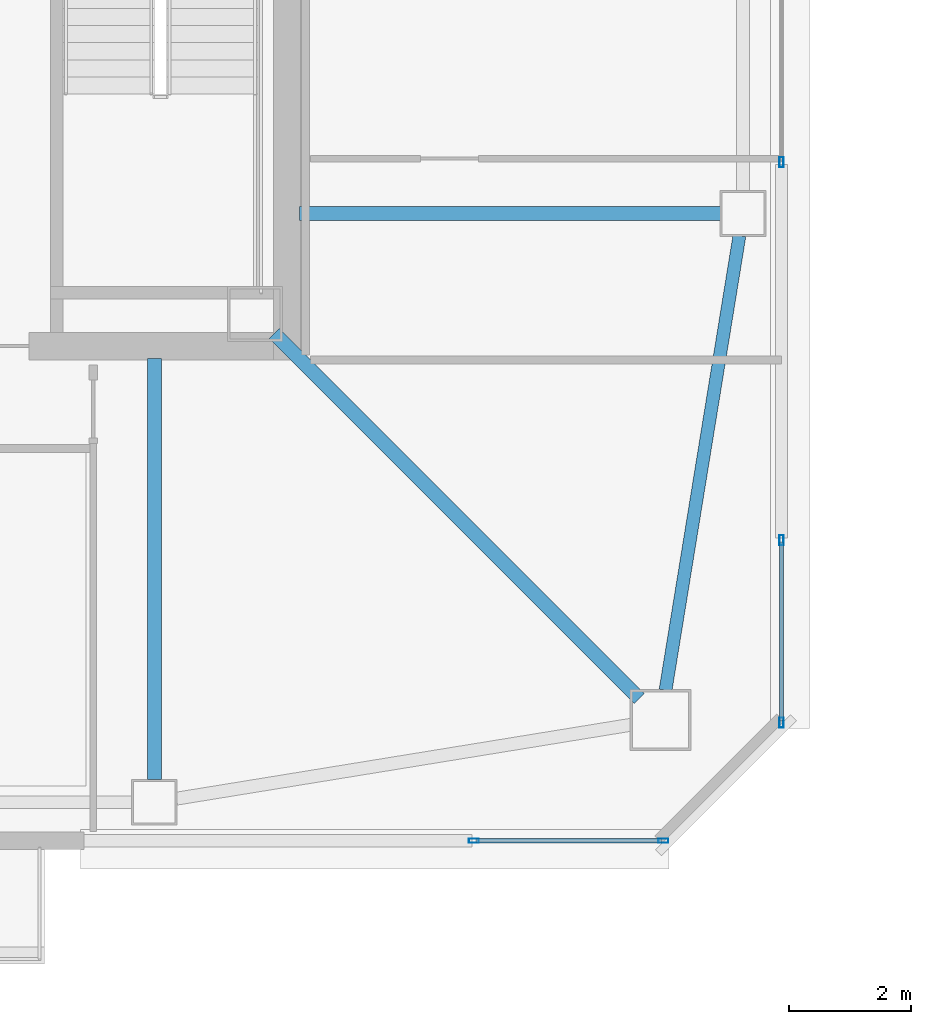
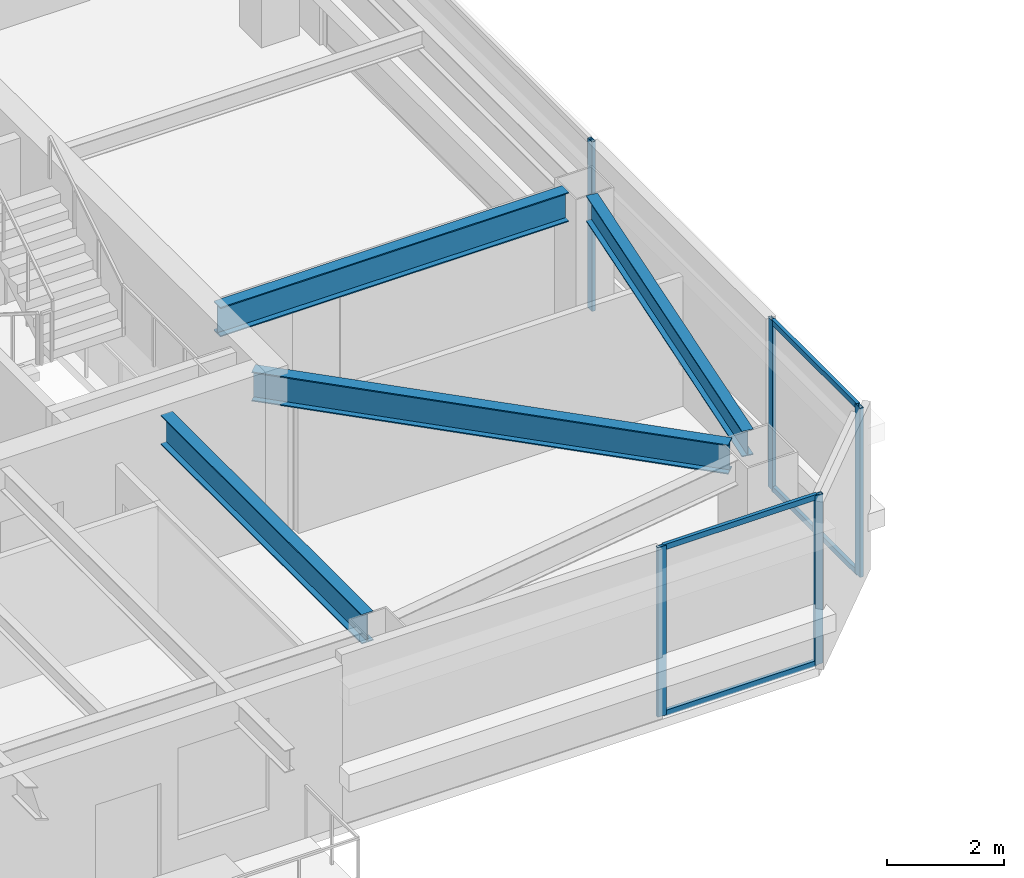
# One storey, part 7 of 36: 9 members, 4 beams, 3 elements without a shape of their own.
"""IFC4 building model written with IfcOpenShell, lengths in metres."""

from ifc_helpers import new_model, si_unit, direction, frame, origin, origin_2d, place, context, subcontext, project, spatial, hollow_rectangle, i_section, extrude, material, material_profile, profile_set, type_object, element, aggregate, save


model = new_model("IFC4")

# Units and contexts
model_context = context("Model", 3, precision=1e-05, world=origin(), true_north=direction((0.0, 1.0)))
body_context = subcontext(model_context, "Body", "Model", "MODEL_VIEW")
ifc_project = project(units=[si_unit("LENGTHUNIT", "METRE"), si_unit("AREAUNIT", "SQUARE_METRE"), si_unit("VOLUMEUNIT", "CUBIC_METRE"), si_unit("PLANEANGLEUNIT", "RADIAN"), si_unit("MASSUNIT", "GRAM", prefix="KILO")], contexts=[model_context])

# Site, building, storey
site_placement = place(None, origin())
site = spatial("IfcSite", under=ifc_project, at=site_placement, CompositionType="ELEMENT")
building_placement = place(site_placement, origin())
building = spatial("IfcBuilding", under=site, at=building_placement, Name="Tashvorn Skyway Center", CompositionType="ELEMENT")
storey_placement = place(building_placement, frame((0.0, 0.0, 236.14990234375)))
storey = spatial("IfcBuildingStorey", under=building, at=storey_placement, Name="L64", CompositionType="ELEMENT", Elevation=236.14990234375)

# Beams
ifc_material_1 = material(Name="Steel ASTM A992 Grade 50", Category="steel")
ifc_material_profile_1 = material_profile(ifc_material_1, i_section(OverallWidth=0.22998046875, OverallDepth=0.616943359375, WebThickness=0.01318359375, FlangeThickness=0.022216796875, at=origin_2d()), Name="W24X94")
ifc_profile_set_1 = profile_set([ifc_material_profile_1], Name="Steel ASTM A992 Grade 50")
beam_type_1 = type_object("IfcBeamType", Name="BM-BEAM-W24X94", PredefinedType="BEAM", material=ifc_profile_set_1)
beam_1_placement = place(storey_placement, frame((55.35009765625, 18.64990234375, 3.0615234375), z_axis=(-0.707106781187, 0.707106781187, 0.0), x_axis=(-0.707106781187, -0.707106781187, 0.0)))
element("IfcBeam", 1, at=beam_1_placement, inside=storey, type_object=beam_type_1, Name="Tower 1 L64 Primary Floor Girder MC-SE", PredefinedType="BEAM", context=body_context, shape_type="SweptSolid", body=[
    extrude(i_section(OverallWidth=0.22998046875, OverallDepth=0.616943359375, WebThickness=0.01318359375, FlangeThickness=0.022216796875, at=origin_2d()), origin(), (0.0, 0.0, 1.0), 8.464599609375),
])
for number, where, z_axis, x_axis, name in (
    (2, (47.39990234375, 17.320068359375, 3.0615234375), (0.0, 1.0, 0.0), (-1.0, 0.0, 0.0), "Tower 1 L64 Primary Floor Girder FC-S2"),
    (3, (56.679931640625, 26.60009765625, 3.0615234375), (-1.0, 0.0, 0.0), (0.0, -1.0, 0.0), "Tower 1 L64 Primary Floor Girder FC-E1"),
):
    element("IfcBeam", number, at=place(storey_placement, frame(where, z_axis=z_axis, x_axis=x_axis)), inside=storey, type_object=beam_type_1, Name=name, PredefinedType="BEAM", context=body_context, shape_type="SweptSolid", body=[
        extrude(i_section(OverallWidth=0.22998046875, OverallDepth=0.616943359375, WebThickness=0.01318359375, FlangeThickness=0.022216796875, at=origin_2d()), origin(), (0.0, 0.0, 1.0), 6.89990234375),
    ])
ifc_material_profile_2 = material_profile(ifc_material_1, i_section(OverallWidth=0.2109375, OverallDepth=0.5390625, WebThickness=0.01171875, FlangeThickness=0.018798828125, at=origin_2d()), Name="W21X73")
ifc_profile_set_2 = profile_set([ifc_material_profile_2], Name="Steel ASTM A992 Grade 50")
beam_type_2 = type_object("IfcBeamType", Name="BM-SPANDREL-W21X73", PredefinedType="SPANDREL", material=ifc_profile_set_2)
beam_2_placement = place(storey_placement, frame((55.779541015625, 18.78857421875, 3.1005859375), z_axis=(0.160514302677, 0.987033514444, 0.0), x_axis=(-0.987033514444, 0.160514302677, 0.0)))
element("IfcBeam", 4, at=beam_2_placement, inside=storey, type_object=beam_type_2, Name="Tower 1 L64 Spandrel Beam 04", PredefinedType="SPANDREL", context=body_context, shape_type="SweptSolid", body=[
    extrude(i_section(OverallWidth=0.2109375, OverallDepth=0.5390625, WebThickness=0.01171875, FlangeThickness=0.018798828125, at=origin_2d()), origin(), (0.0, 0.0, 1.0), 7.544189453125),
])

# Curtain wall, members
ifc_material_2 = material(Name="Thermally broken bronze-anodized aluminium 6063-T6", Category="aluminium")
curtain_wall_type = type_object("IfcCurtainWallType", Name="CW-CW-Z5", PredefinedType="NOTDEFINED", material=ifc_material_2)
curtain_wall_1_placement = place(storey_placement, origin())
curtain_wall_1 = element("IfcCurtainWall", 5, at=curtain_wall_1_placement, inside=storey, type_object=curtain_wall_type, Name="Tower 1 L64 South Curtain Wall L Glazing Group 1", PredefinedType="NOTDEFINED")
ifc_material_profile_3 = material_profile(ifc_material_2, hollow_rectangle(XDim=0.070068359375, YDim=0.1650390625, WallThickness=0.00390625, at=origin_2d()), Name="ALU-MULL-70x165")
ifc_profile_set_3 = profile_set([ifc_material_profile_3], Name="Thermally broken bronze-anodized aluminium 6063-T6")
member_type_1 = type_object("IfcMemberType", Name="CWM-CW-Z5", PredefinedType="MULLION", material=ifc_profile_set_3)
member_1_placement = place(storey_placement, frame((55.7451171875, 16.320068359375, 0.0), z_axis=(0.0, 0.0, 1.0), x_axis=(0.0, -1.0, 0.0)))
member_1 = element("IfcMember", 6, at=member_1_placement, type_object=member_type_1, Name="CW-Z5 mullion 1", PredefinedType="MULLION", context=body_context, shape_type="SweptSolid", body=[
    extrude(hollow_rectangle(XDim=0.070068359375, YDim=0.1650390625, WallThickness=0.00390625, at=origin_2d()), origin(), (0.0, 0.0, 1.0), 3.550048828125),
])
member_2_placement = place(storey_placement, frame((52.63818359375, 16.320068359375, 0.0), z_axis=(0.0, 0.0, 1.0), x_axis=(0.0, -1.0, 0.0)))
member_2 = element("IfcMember", 7, at=member_2_placement, type_object=member_type_1, Name="CW-Z5 mullion 2", PredefinedType="MULLION", context=body_context, shape_type="SweptSolid", body=[
    extrude(hollow_rectangle(XDim=0.070068359375, YDim=0.1650390625, WallThickness=0.00390625, at=origin_2d()), origin(), (0.0, 0.0, 1.0), 3.550048828125),
])

# Curtain wall, member
curtain_wall_2_placement = place(storey_placement, origin())
curtain_wall_2 = element("IfcCurtainWall", 8, at=curtain_wall_2_placement, inside=storey, type_object=curtain_wall_type, Name="Tower 1 L64 East Unitised Curtain Wall Glazing Group 2", PredefinedType="NOTDEFINED")
member_3_placement = place(storey_placement, frame((57.679931640625, 27.441650390625, 0.0), z_axis=(0.0, 0.0, 1.0), x_axis=(1.0, 0.0, 0.0)))
member_3 = element("IfcMember", 9, at=member_3_placement, type_object=member_type_1, Name="CW-Z5 mullion 2", PredefinedType="MULLION", context=body_context, shape_type="SweptSolid", body=[
    extrude(hollow_rectangle(XDim=0.070068359375, YDim=0.1650390625, WallThickness=0.00390625, at=origin_2d()), origin(), (0.0, 0.0, 1.0), 3.550048828125),
])
aggregate(curtain_wall_2, [member_3])

# Curtain wall, members
curtain_wall_3_placement = place(storey_placement, origin())
curtain_wall_3 = element("IfcCurtainWall", 10, at=curtain_wall_3_placement, inside=storey, type_object=curtain_wall_type, Name="Tower 1 L64 East Unitised Curtain Wall Glazing Group 3", PredefinedType="NOTDEFINED")
member_4_placement = place(storey_placement, frame((57.679931640625, 21.247314453125, 0.0), z_axis=(0.0, 0.0, 1.0), x_axis=(1.0, 0.0, 0.0)))
member_4 = element("IfcMember", 11, at=member_4_placement, type_object=member_type_1, Name="CW-Z5 mullion 1", PredefinedType="MULLION", context=body_context, shape_type="SweptSolid", body=[
    extrude(hollow_rectangle(XDim=0.070068359375, YDim=0.1650390625, WallThickness=0.00390625, at=origin_2d()), origin(), (0.0, 0.0, 1.0), 3.550048828125),
])
member_5_placement = place(storey_placement, frame((57.679931640625, 18.2548828125, 0.0), z_axis=(0.0, 0.0, 1.0), x_axis=(1.0, 0.0, 0.0)))
member_5 = element("IfcMember", 12, at=member_5_placement, type_object=member_type_1, Name="CW-Z5 mullion 2", PredefinedType="MULLION", context=body_context, shape_type="SweptSolid", body=[
    extrude(hollow_rectangle(XDim=0.070068359375, YDim=0.1650390625, WallThickness=0.00390625, at=origin_2d()), origin(), (0.0, 0.0, 1.0), 3.550048828125),
])

# Member
ifc_material_profile_4 = material_profile(ifc_material_2, hollow_rectangle(XDim=0.070068359375, YDim=0.114990234375, WallThickness=0.00390625, at=origin_2d()), Name="ALU-TRAN-70x115")
ifc_profile_set_4 = profile_set([ifc_material_profile_4], Name="Thermally broken bronze-anodized aluminium 6063-T6")
member_type_2 = type_object("IfcMemberType", Name="CWT-CW-Z5", PredefinedType="USERDEFINED", material=ifc_profile_set_4)
member_6_placement = place(storey_placement, frame((55.7099609375, 16.320068359375, 0.03515625), z_axis=(-1.0, 0.0, 0.0), x_axis=(0.0, -1.0, 0.0)))
member_6 = element("IfcMember", 13, at=member_6_placement, type_object=member_type_2, Name="CW-Z5 transom 1.1", ObjectType="TRANSOM", PredefinedType="USERDEFINED", context=body_context, shape_type="SweptSolid", body=[
    extrude(hollow_rectangle(XDim=0.070068359375, YDim=0.114990234375, WallThickness=0.00390625, at=origin_2d()), origin(), (0.0, 0.0, 1.0), 3.03662109375),
])

member_7_placement = place(storey_placement, frame((55.7099609375, 16.320068359375, 3.51513671875), z_axis=(-1.0, 0.0, 0.0), x_axis=(0.0, -1.0, 0.0)))
member_7 = element("IfcMember", 14, at=member_7_placement, type_object=member_type_2, Name="CW-Z5 transom 1.2", ObjectType="TRANSOM", PredefinedType="USERDEFINED", context=body_context, shape_type="SweptSolid", body=[
    extrude(hollow_rectangle(XDim=0.070068359375, YDim=0.114990234375, WallThickness=0.00390625, at=origin_2d()), origin(), (0.0, 0.0, 1.0), 3.03662109375),
])

aggregate(curtain_wall_1, [member_1, member_2, member_6, member_7])

member_8_placement = place(storey_placement, frame((57.679931640625, 21.212158203125, 0.03515625), z_axis=(0.0, -1.0, 0.0), x_axis=(1.0, 0.0, 0.0)))
member_8 = element("IfcMember", 15, at=member_8_placement, type_object=member_type_2, Name="CW-Z5 transom 1.1", ObjectType="TRANSOM", PredefinedType="USERDEFINED", context=body_context, shape_type="SweptSolid", body=[
    extrude(hollow_rectangle(XDim=0.070068359375, YDim=0.114990234375, WallThickness=0.00390625, at=origin_2d()), origin(), (0.0, 0.0, 1.0), 2.922119140625),
])

member_9_placement = place(storey_placement, frame((57.679931640625, 21.212158203125, 3.51513671875), z_axis=(0.0, -1.0, 0.0), x_axis=(1.0, 0.0, 0.0)))
member_9 = element("IfcMember", 16, at=member_9_placement, type_object=member_type_2, Name="CW-Z5 transom 1.2", ObjectType="TRANSOM", PredefinedType="USERDEFINED", context=body_context, shape_type="SweptSolid", body=[
    extrude(hollow_rectangle(XDim=0.070068359375, YDim=0.114990234375, WallThickness=0.00390625, at=origin_2d()), origin(), (0.0, 0.0, 1.0), 2.922119140625),
])

aggregate(curtain_wall_3, [member_4, member_5, member_8, member_9])

save(model, "model.ifc")
